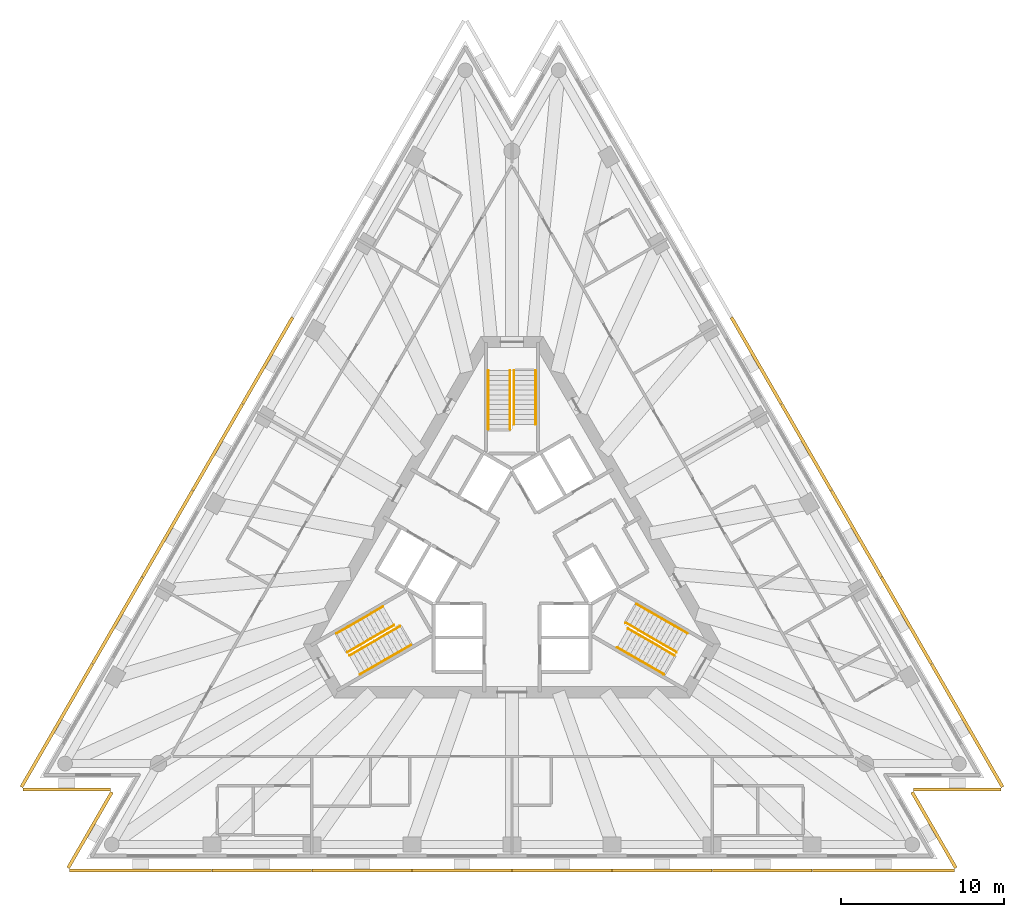
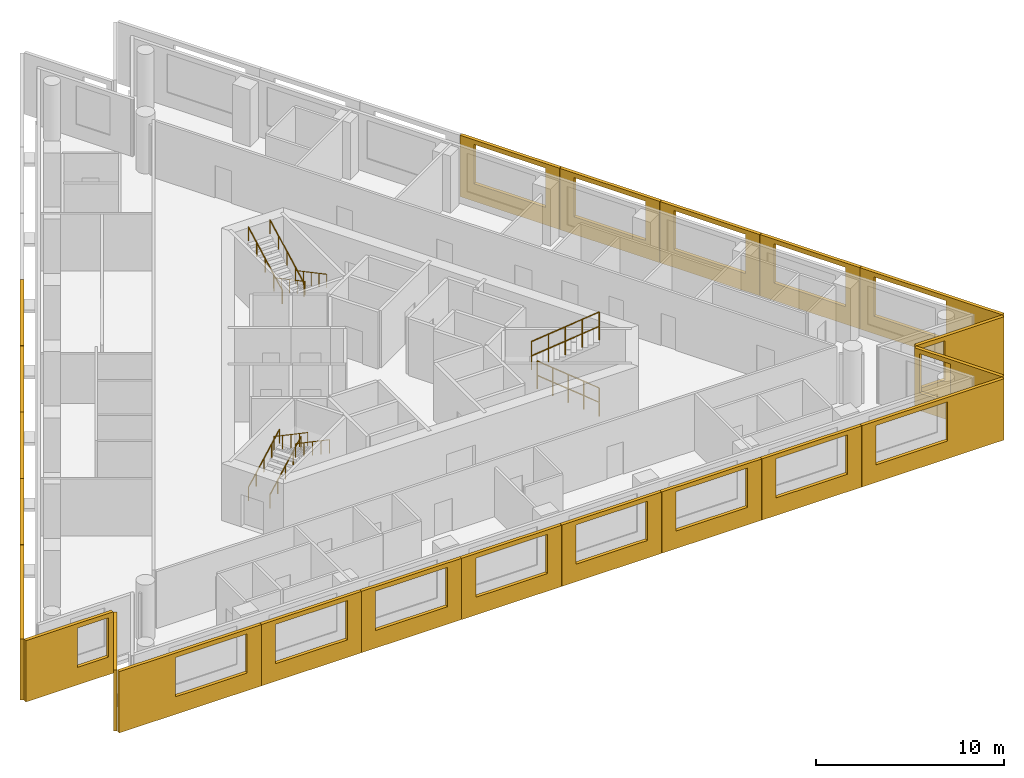
# One storey, part 8 of 9: 22 shading devices, 12 railings, 3 elements without a shape of their own.
"""IFC4 building model written with IfcOpenShell, lengths in metres."""

from ifc_helpers import new_model, si_unit, direction, frame, origin, origin_2d, place, context, subcontext, project, spatial, polyline, circle, outline, extrude, material, layer, layer_set, type_object, element, aggregate, save


model = new_model("IFC4")

# Units and contexts
model_context = context("Model", 3, precision=1e-05, world=origin(), true_north=direction((0.0, 1.0)))
body_context = subcontext(model_context, "Body", "Model", "MODEL_VIEW")
ifc_project = project(units=[si_unit("LENGTHUNIT", "METRE"), si_unit("AREAUNIT", "SQUARE_METRE"), si_unit("VOLUMEUNIT", "CUBIC_METRE"), si_unit("PLANEANGLEUNIT", "RADIAN"), si_unit("MASSUNIT", "GRAM", prefix="KILO")], contexts=[model_context])

# Site, building, storey
site_placement = place(None, origin())
site = spatial("IfcSite", under=ifc_project, at=site_placement, CompositionType="ELEMENT")
building_placement = place(site_placement, origin())
building = spatial("IfcBuilding", under=site, at=building_placement, Name="Triada Interchange Tower", CompositionType="ELEMENT")
storey_placement = place(building_placement, frame((0.0, 0.0, 211.300048828125)))
storey = spatial("IfcBuildingStorey", under=building, at=storey_placement, Name="L49", CompositionType="ELEMENT", Elevation=211.300048828125)

# Shading devices
ifc_material_1 = material(Name="Concrete C50/60 precast", Category="concrete")
ifc_layer_1 = layer(ifc_material_1, 0.02001953125, Name="Exposed aggregate face")
ifc_layer_2 = layer(ifc_material_1, 0.179931640625, Name="Precast concrete screen")
ifc_layer_set = layer_set([ifc_layer_1, ifc_layer_2], Name="Outer skin screen panel 3980")
shading_device_type = type_object("IfcShadingDeviceType", Name="Outer skin screen panel 3980", PredefinedType="SHUTTER", material=ifc_layer_set)
shading_device_1_placement = place(storey_placement, frame((-13.388916015625, 14.81298828125, -0.2900390625), z_axis=(0.0, 0.0, 1.0), x_axis=(-0.500160695909, -0.865932606077, 0.0)))
element("IfcShadingDevice", 1, at=shading_device_1_placement, inside=storey, type_object=shading_device_type, Name="Outer skin screen panel L49 04", PredefinedType="SHUTTER", context=body_context, shape_type="SweptSolid", body=[
    extrude(outline(polyline([(0.0, 0.0), (6.1240234375, 0.0), (6.1240234375, 3.97998046875), (0.0, 3.97998046875), (0.0, 0.0)]), holes=[polyline([(0.862060546875, 1.139892578125), (0.862060546875, 3.68994140625), (5.261962890625, 3.68994140625), (5.261962890625, 1.139892578125), (0.862060546875, 1.139892578125)])]), frame((0.0, 0.0, 0.0), z_axis=(0.0, -1.0, 0.0), x_axis=(1.0, 0.0, 0.0)), (0.0, 0.0, 1.0), 0.199951171875),
])
shading_device_2_placement = place(storey_placement, frame((-16.4619140625, 9.491943359375, -0.2900390625), z_axis=(0.0, 0.0, 1.0), x_axis=(-0.500041108788, -0.866001668314, 0.0)))
element("IfcShadingDevice", 2, at=shading_device_2_placement, inside=storey, type_object=shading_device_type, Name="Outer skin screen panel L49 05", PredefinedType="SHUTTER", context=body_context, shape_type="SweptSolid", body=[
    extrude(outline(polyline([(0.0, 0.0), (6.12353515625, 0.0), (6.12353515625, 3.97998046875), (0.0, 3.97998046875), (0.0, 0.0)]), holes=[polyline([(0.86181640625, 1.139892578125), (0.86181640625, 3.68994140625), (5.26171875, 3.68994140625), (5.26171875, 1.139892578125), (0.86181640625, 1.139892578125)])]), frame((0.0, 0.0, 0.0), z_axis=(0.0, -1.0, 0.0), x_axis=(1.0, 0.0, 0.0)), (0.0, 0.0, 1.0), 0.199951171875),
])
shading_device_3_placement = place(storey_placement, frame((-19.533935546875, 4.1708984375, -0.2900390625), z_axis=(0.0, 0.0, 1.0), x_axis=(-0.500041108788, -0.866001668314, 0.0)))
element("IfcShadingDevice", 3, at=shading_device_3_placement, inside=storey, type_object=shading_device_type, Name="Outer skin screen panel L49 06", PredefinedType="SHUTTER", context=body_context, shape_type="SweptSolid", body=[
    extrude(outline(polyline([(0.0, 0.0), (6.12353515625, 0.0), (6.12353515625, 3.97998046875), (0.0, 3.97998046875), (0.0, 0.0)]), holes=[polyline([(0.861572265625, 1.139892578125), (0.861572265625, 3.68994140625), (5.26171875, 3.68994140625), (5.26171875, 1.139892578125), (0.861572265625, 1.139892578125)])]), frame((0.0, 0.0, 0.0), z_axis=(0.0, -1.0, 0.0), x_axis=(1.0, 0.0, 0.0)), (0.0, 0.0, 1.0), 0.199951171875),
])
shading_device_4_placement = place(storey_placement, frame((-22.60595703125, -1.14990234375, -0.2900390625), z_axis=(0.0, 0.0, 1.0), x_axis=(-0.500041108788, -0.866001668314, 0.0)))
element("IfcShadingDevice", 4, at=shading_device_4_placement, inside=storey, type_object=shading_device_type, Name="Outer skin screen panel L49 07", PredefinedType="SHUTTER", context=body_context, shape_type="SweptSolid", body=[
    extrude(outline(polyline([(0.0, 0.0), (6.12353515625, 0.0), (6.12353515625, 3.97998046875), (0.0, 3.97998046875), (0.0, 0.0)]), holes=[polyline([(0.8623046875, 1.139892578125), (0.8623046875, 3.68994140625), (5.262451171875, 3.68994140625), (5.262451171875, 1.139892578125), (0.8623046875, 1.139892578125)])]), frame((0.0, 0.0, 0.0), z_axis=(0.0, -1.0, 0.0), x_axis=(1.0, 0.0, 0.0)), (0.0, 0.0, 1.0), 0.199951171875),
])
shading_device_5_placement = place(storey_placement, frame((-25.677978515625, -6.470947265625, -0.2900390625), z_axis=(0.0, 0.0, 1.0), x_axis=(-0.500031800419, -0.866007043025, 0.0)))
element("IfcShadingDevice", 5, at=shading_device_5_placement, inside=storey, type_object=shading_device_type, Name="Outer skin screen panel L49 08", PredefinedType="SHUTTER", context=body_context, shape_type="SweptSolid", body=[
    extrude(outline(polyline([(0.0, 0.0), (8.7216796875, 0.0), (8.7216796875, 3.97998046875), (0.0, 3.97998046875), (0.0, 0.0)]), holes=[polyline([(0.8623046875, 1.139892578125), (0.8623046875, 3.68994140625), (5.26220703125, 3.68994140625), (5.26220703125, 1.139892578125), (0.8623046875, 1.139892578125)])]), frame((0.0, 0.0, 0.0), z_axis=(0.0, -1.0, 0.0), x_axis=(1.0, 0.0, 0.0)), (0.0, 0.0, 1.0), 0.199951171875),
])
shading_device_6_placement = place(storey_placement, frame((-30.033935546875, -14.032958984375, -0.2900390625), z_axis=(0.0, 0.0, 1.0), x_axis=(1.0, 0.0, 0.0)))
element("IfcShadingDevice", 6, at=shading_device_6_placement, inside=storey, type_object=shading_device_type, Name="Outer skin screen panel L49 09", PredefinedType="SHUTTER", context=body_context, shape_type="SweptSolid", body=[
    extrude(outline(polyline([(0.0, 0.0), (5.370849609375, 0.0), (5.370849609375, 3.97998046875), (0.0, 3.97998046875), (0.0, 0.0)]), holes=[polyline([(3.175048828125, 1.139892578125), (3.175048828125, 3.68994140625), (5.071044921875, 3.68994140625), (5.071044921875, 1.139892578125), (3.175048828125, 1.139892578125)])]), frame((0.0, 0.0, 0.0), z_axis=(0.0, -1.0, 0.0), x_axis=(1.0, 0.0, 0.0)), (0.0, 0.0, 1.0), 0.199951171875),
])
shading_device_7_placement = place(storey_placement, frame((-24.485107421875, -14.342041015625, -0.2900390625), z_axis=(0.0, 0.0, 1.0), x_axis=(-0.499948082557, -0.866055376259, 0.0)))
element("IfcShadingDevice", 7, at=shading_device_7_placement, inside=storey, type_object=shading_device_type, Name="Outer skin screen panel L49 10", PredefinedType="SHUTTER", context=body_context, shape_type="SweptSolid", body=[
    extrude(outline(polyline([(0.0, 0.0), (5.3701171875, 0.0), (5.3701171875, 3.97998046875), (0.0, 3.97998046875), (0.0, 0.0)]), holes=[polyline([(0.300048828125, 1.139892578125), (0.300048828125, 3.68994140625), (1.7578125, 3.68994140625), (1.7578125, 1.139892578125), (0.300048828125, 1.139892578125)])]), frame((0.0, 0.0, 0.0), z_axis=(0.0, -1.0, 0.0), x_axis=(1.0, 0.0, 0.0)), (0.0, 0.0, 1.0), 0.199951171875),
])
shading_device_8_placement = place(storey_placement, frame((-27.1650390625, -19.001953125, -0.2900390625), z_axis=(0.0, 0.0, 1.0), x_axis=(1.0, 0.0, 0.0)))
element("IfcShadingDevice", 8, at=shading_device_8_placement, inside=storey, type_object=shading_device_type, Name="Outer skin screen panel L49 11", PredefinedType="SHUTTER", context=body_context, shape_type="SweptSolid", body=[
    extrude(outline(polyline([(0.0, 0.0), (8.721923828125, 0.0), (8.721923828125, 3.97998046875), (0.0, 3.97998046875), (0.0, 0.0)]), holes=[polyline([(3.4599609375, 1.139892578125), (3.4599609375, 3.68994140625), (7.860107421875, 3.68994140625), (7.860107421875, 1.139892578125), (3.4599609375, 1.139892578125)])]), frame((0.0, 0.0, 0.0), z_axis=(0.0, -1.0, 0.0), x_axis=(1.0, 0.0, 0.0)), (0.0, 0.0, 1.0), 0.199951171875),
])
shading_device_9_placement = place(storey_placement, frame((-18.423095703125, -19.001953125, -0.2900390625), z_axis=(0.0, 0.0, 1.0), x_axis=(1.0, 0.0, 0.0)))
element("IfcShadingDevice", 9, at=shading_device_9_placement, inside=storey, type_object=shading_device_type, Name="Outer skin screen panel L49 12", PredefinedType="SHUTTER", context=body_context, shape_type="SweptSolid", body=[
    extrude(outline(polyline([(0.0, 0.0), (6.125, 0.0), (6.125, 3.97998046875), (0.0, 3.97998046875), (0.0, 0.0)]), holes=[polyline([(0.86181640625, 1.139892578125), (0.86181640625, 3.68994140625), (5.26171875, 3.68994140625), (5.26171875, 1.139892578125), (0.86181640625, 1.139892578125)])]), frame((0.0, 0.0, 0.0), z_axis=(0.0, -1.0, 0.0), x_axis=(1.0, 0.0, 0.0)), (0.0, 0.0, 1.0), 0.199951171875),
])
shading_device_10_placement = place(storey_placement, frame((-12.279052734375, -19.001953125, -0.2900390625), z_axis=(0.0, 0.0, 1.0), x_axis=(1.0, 0.0, 0.0)))
element("IfcShadingDevice", 10, at=shading_device_10_placement, inside=storey, type_object=shading_device_type, Name="Outer skin screen panel L49 13", PredefinedType="SHUTTER", context=body_context, shape_type="SweptSolid", body=[
    extrude(outline(polyline([(0.0, 0.0), (6.125, 0.0), (6.125, 3.97998046875), (0.0, 3.97998046875), (0.0, 0.0)]), holes=[polyline([(0.862548828125, 1.139892578125), (0.862548828125, 3.68994140625), (5.262451171875, 3.68994140625), (5.262451171875, 1.139892578125), (0.862548828125, 1.139892578125)])]), frame((0.0, 0.0, 0.0), z_axis=(0.0, -1.0, 0.0), x_axis=(1.0, 0.0, 0.0)), (0.0, 0.0, 1.0), 0.199951171875),
])
shading_device_11_placement = place(storey_placement, frame((-6.134033203125, -19.001953125, -0.2900390625), z_axis=(0.0, 0.0, 1.0), x_axis=(1.0, 0.0, 0.0)))
element("IfcShadingDevice", 11, at=shading_device_11_placement, inside=storey, type_object=shading_device_type, Name="Outer skin screen panel L49 14", PredefinedType="SHUTTER", context=body_context, shape_type="SweptSolid", body=[
    extrude(outline(polyline([(0.0, 0.0), (6.1240234375, 0.0), (6.1240234375, 3.97998046875), (0.0, 3.97998046875), (0.0, 0.0)]), holes=[polyline([(0.8623046875, 1.139892578125), (0.8623046875, 3.68994140625), (5.26220703125, 3.68994140625), (5.26220703125, 1.139892578125), (0.8623046875, 1.139892578125)])]), frame((0.0, 0.0, 0.0), z_axis=(0.0, -1.0, 0.0), x_axis=(1.0, 0.0, 0.0)), (0.0, 0.0, 1.0), 0.199951171875),
])
shading_device_12_placement = place(storey_placement, frame((0.010009765625, -19.001953125, -0.2900390625), z_axis=(0.0, 0.0, 1.0), x_axis=(1.0, 0.0, 0.0)))
element("IfcShadingDevice", 12, at=shading_device_12_placement, inside=storey, type_object=shading_device_type, Name="Outer skin screen panel L49 15", PredefinedType="SHUTTER", context=body_context, shape_type="SweptSolid", body=[
    extrude(outline(polyline([(0.0, 0.0), (6.1240234375, 0.0), (6.1240234375, 3.97998046875), (0.0, 3.97998046875), (0.0, 0.0)]), holes=[polyline([(0.862060546875, 1.139892578125), (0.862060546875, 3.68994140625), (5.261962890625, 3.68994140625), (5.261962890625, 1.139892578125), (0.862060546875, 1.139892578125)])]), frame((0.0, 0.0, 0.0), z_axis=(0.0, -1.0, 0.0), x_axis=(1.0, 0.0, 0.0)), (0.0, 0.0, 1.0), 0.199951171875),
])
shading_device_13_placement = place(storey_placement, frame((6.154052734375, -19.001953125, -0.2900390625), z_axis=(0.0, 0.0, 1.0), x_axis=(1.0, 0.0, 0.0)))
element("IfcShadingDevice", 13, at=shading_device_13_placement, inside=storey, type_object=shading_device_type, Name="Outer skin screen panel L49 16", PredefinedType="SHUTTER", context=body_context, shape_type="SweptSolid", body=[
    extrude(outline(polyline([(0.0, 0.0), (6.125, 0.0), (6.125, 3.97998046875), (0.0, 3.97998046875), (0.0, 0.0)]), holes=[polyline([(0.86181640625, 1.139892578125), (0.86181640625, 3.68994140625), (5.26171875, 3.68994140625), (5.26171875, 1.139892578125), (0.86181640625, 1.139892578125)])]), frame((0.0, 0.0, 0.0), z_axis=(0.0, -1.0, 0.0), x_axis=(1.0, 0.0, 0.0)), (0.0, 0.0, 1.0), 0.199951171875),
])
shading_device_14_placement = place(storey_placement, frame((12.298095703125, -19.001953125, -0.2900390625), z_axis=(0.0, 0.0, 1.0), x_axis=(1.0, 0.0, 0.0)))
element("IfcShadingDevice", 14, at=shading_device_14_placement, inside=storey, type_object=shading_device_type, Name="Outer skin screen panel L49 17", PredefinedType="SHUTTER", context=body_context, shape_type="SweptSolid", body=[
    extrude(outline(polyline([(0.0, 0.0), (6.125, 0.0), (6.125, 3.97998046875), (0.0, 3.97998046875), (0.0, 0.0)]), holes=[polyline([(0.862548828125, 1.139892578125), (0.862548828125, 3.68994140625), (5.262451171875, 3.68994140625), (5.262451171875, 1.139892578125), (0.862548828125, 1.139892578125)])]), frame((0.0, 0.0, 0.0), z_axis=(0.0, -1.0, 0.0), x_axis=(1.0, 0.0, 0.0)), (0.0, 0.0, 1.0), 0.199951171875),
])
shading_device_15_placement = place(storey_placement, frame((18.443115234375, -19.001953125, -0.2900390625), z_axis=(0.0, 0.0, 1.0), x_axis=(1.0, 0.0, 0.0)))
element("IfcShadingDevice", 15, at=shading_device_15_placement, inside=storey, type_object=shading_device_type, Name="Outer skin screen panel L49 18", PredefinedType="SHUTTER", context=body_context, shape_type="SweptSolid", body=[
    extrude(outline(polyline([(0.0, 0.0), (8.721923828125, 0.0), (8.721923828125, 3.97998046875), (0.0, 3.97998046875), (0.0, 0.0)]), holes=[polyline([(0.8623046875, 1.139892578125), (0.8623046875, 3.68994140625), (5.26220703125, 3.68994140625), (5.26220703125, 1.139892578125), (0.8623046875, 1.139892578125)])]), frame((0.0, 0.0, 0.0), z_axis=(0.0, -1.0, 0.0), x_axis=(1.0, 0.0, 0.0)), (0.0, 0.0, 1.0), 0.199951171875),
])
shading_device_16_placement = place(storey_placement, frame((27.169921875, -18.992919921875, -0.2900390625), z_axis=(0.0, 0.0, 1.0), x_axis=(-0.499948082557, 0.866055376259, 0.0)))
element("IfcShadingDevice", 16, at=shading_device_16_placement, inside=storey, type_object=shading_device_type, Name="Outer skin screen panel L49 19", PredefinedType="SHUTTER", context=body_context, shape_type="SweptSolid", body=[
    extrude(outline(polyline([(0.0, 0.0), (5.3701171875, 0.0), (5.3701171875, 3.97998046875), (0.0, 3.97998046875), (0.0, 0.0)]), holes=[polyline([(3.17529296875, 1.139892578125), (3.17529296875, 3.68994140625), (5.071044921875, 3.68994140625), (5.071044921875, 1.139892578125), (3.17529296875, 1.139892578125)])]), frame((0.0, 0.0, 0.0), z_axis=(0.0, -1.0, 0.0), x_axis=(1.0, 0.0, 0.0)), (0.0, 0.0, 1.0), 0.199951171875),
])
shading_device_17_placement = place(storey_placement, frame((24.6630859375, -14.032958984375, -0.2900390625), z_axis=(0.0, 0.0, 1.0), x_axis=(1.0, 0.0, 0.0)))
element("IfcShadingDevice", 17, at=shading_device_17_placement, inside=storey, type_object=shading_device_type, Name="Outer skin screen panel L49 20", PredefinedType="SHUTTER", context=body_context, shape_type="SweptSolid", body=[
    extrude(outline(polyline([(0.0, 0.0), (5.370849609375, 0.0), (5.370849609375, 3.97998046875), (0.0, 3.97998046875), (0.0, 0.0)]), holes=[polyline([(0.300048828125, 1.139892578125), (0.300048828125, 3.68994140625), (1.758056640625, 3.68994140625), (1.758056640625, 1.139892578125), (0.300048828125, 1.139892578125)])]), frame((0.0, 0.0, 0.0), z_axis=(0.0, -1.0, 0.0), x_axis=(1.0, 0.0, 0.0)), (0.0, 0.0, 1.0), 0.199951171875),
])
shading_device_18_placement = place(storey_placement, frame((30.0390625, -14.02392578125, -0.2900390625), z_axis=(0.0, 0.0, 1.0), x_axis=(-0.500031800419, 0.866007043025, 0.0)))
element("IfcShadingDevice", 18, at=shading_device_18_placement, inside=storey, type_object=shading_device_type, Name="Outer skin screen panel L49 21", PredefinedType="SHUTTER", context=body_context, shape_type="SweptSolid", body=[
    extrude(outline(polyline([(0.0, 0.0), (8.7216796875, 0.0), (8.7216796875, 3.97998046875), (0.0, 3.97998046875), (0.0, 0.0)]), holes=[polyline([(3.460205078125, 1.139892578125), (3.460205078125, 3.68994140625), (7.8603515625, 3.68994140625), (7.8603515625, 1.139892578125), (3.460205078125, 1.139892578125)])]), frame((0.0, 0.0, 0.0), z_axis=(0.0, -1.0, 0.0), x_axis=(1.0, 0.0, 0.0)), (0.0, 0.0, 1.0), 0.199951171875),
])
shading_device_19_placement = place(storey_placement, frame((25.66796875, -6.452880859375, -0.2900390625), z_axis=(0.0, 0.0, 1.0), x_axis=(-0.500041108788, 0.866001668314, 0.0)))
element("IfcShadingDevice", 19, at=shading_device_19_placement, inside=storey, type_object=shading_device_type, Name="Outer skin screen panel L49 22", PredefinedType="SHUTTER", context=body_context, shape_type="SweptSolid", body=[
    extrude(outline(polyline([(0.0, 0.0), (6.12353515625, 0.0), (6.12353515625, 3.97998046875), (0.0, 3.97998046875), (0.0, 0.0)]), holes=[polyline([(0.862060546875, 1.139892578125), (0.862060546875, 3.68994140625), (5.261962890625, 3.68994140625), (5.261962890625, 1.139892578125), (0.862060546875, 1.139892578125)])]), frame((0.0, 0.0, 0.0), z_axis=(0.0, -1.0, 0.0), x_axis=(1.0, 0.0, 0.0)), (0.0, 0.0, 1.0), 0.199951171875),
])
shading_device_20_placement = place(storey_placement, frame((22.595947265625, -1.132080078125, -0.2900390625), z_axis=(0.0, 0.0, 1.0), x_axis=(-0.500041108788, 0.866001668314, 0.0)))
element("IfcShadingDevice", 20, at=shading_device_20_placement, inside=storey, type_object=shading_device_type, Name="Outer skin screen panel L49 23", PredefinedType="SHUTTER", context=body_context, shape_type="SweptSolid", body=[
    extrude(outline(polyline([(0.0, 0.0), (6.12353515625, 0.0), (6.12353515625, 3.97998046875), (0.0, 3.97998046875), (0.0, 0.0)]), holes=[polyline([(0.86181640625, 1.139892578125), (0.86181640625, 3.68994140625), (5.261962890625, 3.68994140625), (5.261962890625, 1.139892578125), (0.86181640625, 1.139892578125)])]), frame((0.0, 0.0, 0.0), z_axis=(0.0, -1.0, 0.0), x_axis=(1.0, 0.0, 0.0)), (0.0, 0.0, 1.0), 0.199951171875),
])
shading_device_21_placement = place(storey_placement, frame((19.52392578125, 4.18896484375, -0.2900390625), z_axis=(0.0, 0.0, 1.0), x_axis=(-0.500041108788, 0.866001668314, 0.0)))
element("IfcShadingDevice", 21, at=shading_device_21_placement, inside=storey, type_object=shading_device_type, Name="Outer skin screen panel L49 24", PredefinedType="SHUTTER", context=body_context, shape_type="SweptSolid", body=[
    extrude(outline(polyline([(0.0, 0.0), (6.12353515625, 0.0), (6.12353515625, 3.97998046875), (0.0, 3.97998046875), (0.0, 0.0)]), holes=[polyline([(0.86181640625, 1.139892578125), (0.86181640625, 3.68994140625), (5.26171875, 3.68994140625), (5.26171875, 1.139892578125), (0.86181640625, 1.139892578125)])]), frame((0.0, 0.0, 0.0), z_axis=(0.0, -1.0, 0.0), x_axis=(1.0, 0.0, 0.0)), (0.0, 0.0, 1.0), 0.199951171875),
])
shading_device_22_placement = place(storey_placement, frame((16.451904296875, 9.510009765625, -0.2900390625), z_axis=(0.0, 0.0, 1.0), x_axis=(-0.500160695909, 0.865932606077, 0.0)))
element("IfcShadingDevice", 22, at=shading_device_22_placement, inside=storey, type_object=shading_device_type, Name="Outer skin screen panel L49 25", PredefinedType="SHUTTER", context=body_context, shape_type="SweptSolid", body=[
    extrude(outline(polyline([(0.0, 0.0), (6.1240234375, 0.0), (6.1240234375, 3.97998046875), (0.0, 3.97998046875), (0.0, 0.0)]), holes=[polyline([(0.862548828125, 1.139892578125), (0.862548828125, 3.68994140625), (5.262451171875, 3.68994140625), (5.262451171875, 1.139892578125), (0.862548828125, 1.139892578125)])]), frame((0.0, 0.0, 0.0), z_axis=(0.0, -1.0, 0.0), x_axis=(1.0, 0.0, 0.0)), (0.0, 0.0, 1.0), 0.199951171875),
])

# Stair, railings
ifc_material_2 = material(Name="Concrete C35/45", Category="concrete")
stair_type = type_object("IfcStairType", Name="HALF TURN STAIR 1400", PredefinedType="HALF_TURN_STAIR", material=ifc_material_2)
stair_1_placement = place(storey_placement, origin())
stair_1 = element("IfcStair", 23, at=stair_1_placement, inside=storey, type_object=stair_type, Name="Exit stair S47-1", PredefinedType="HALF_TURN_STAIR")
ifc_material_3 = material(Name="Stainless steel 1.4301", Category="steel")
railing_type = type_object("IfcRailingType", Name="STAIR HANDRAIL 900", PredefinedType="HANDRAIL", material=ifc_material_3)
railing_1_placement = place(storey_placement, frame((1.449951171875, 11.60009765625, 0.159912109375)))
railing_1 = element("IfcRailing", 24, at=railing_1_placement, type_object=railing_type, Name="Handrail S47-1 1W", PredefinedType="HANDRAIL", context=body_context, shape_type="SweptSolid", body=[
    extrude(circle(Radius=0.02392578125, at=origin_2d()), frame((0.0, 0.0, 0.8759765625), z_axis=(0.0, -0.882354748157, 0.47058484719), x_axis=(1.0, 0.0, 0.0)), (0.0, 0.0, 1.0), 3.739990234375),
    extrude(circle(Radius=0.02099609375, at=origin_2d()), origin(), (0.0, 0.0, 1.0), 0.851806640625),
    extrude(circle(Radius=0.02099609375, at=origin_2d()), frame((0.0, -0.824951171875, 0.43994140625)), (0.0, 0.0, 1.0), 0.851806640625),
    extrude(circle(Radius=0.02099609375, at=origin_2d()), frame((0.0, -1.64990234375, 0.8798828125)), (0.0, 0.0, 1.0), 0.851806640625),
    extrude(circle(Radius=0.02099609375, at=origin_2d()), frame((0.0, -2.47509765625, 1.320068359375)), (0.0, 0.0, 1.0), 0.851806640625),
    extrude(circle(Radius=0.02099609375, at=origin_2d()), frame((0.0, -3.300048828125, 1.760009765625)), (0.0, 0.0, 1.0), 0.851806640625),
])
railing_2_placement = place(storey_placement, frame((0.1201171875, 11.60009765625, 0.159912109375)))
railing_2 = element("IfcRailing", 25, at=railing_2_placement, type_object=railing_type, Name="Handrail S47-1 1C", PredefinedType="HANDRAIL", context=body_context, shape_type="SweptSolid", body=[
    extrude(circle(Radius=0.02392578125, at=origin_2d()), frame((0.0, 0.0, 0.8759765625), z_axis=(0.0, -0.882354748157, 0.47058484719), x_axis=(1.0, 0.0, 0.0)), (0.0, 0.0, 1.0), 3.739990234375),
    extrude(circle(Radius=0.02099609375, at=origin_2d()), origin(), (0.0, 0.0, 1.0), 0.851806640625),
    extrude(circle(Radius=0.02099609375, at=origin_2d()), frame((0.0, -0.824951171875, 0.43994140625)), (0.0, 0.0, 1.0), 0.851806640625),
    extrude(circle(Radius=0.02099609375, at=origin_2d()), frame((0.0, -1.64990234375, 0.8798828125)), (0.0, 0.0, 1.0), 0.851806640625),
    extrude(circle(Radius=0.02099609375, at=origin_2d()), frame((0.0, -2.47509765625, 1.320068359375)), (0.0, 0.0, 1.0), 0.851806640625),
    extrude(circle(Radius=0.02099609375, at=origin_2d()), frame((0.0, -3.300048828125, 1.760009765625)), (0.0, 0.0, 1.0), 0.851806640625),
])
railing_3_placement = place(storey_placement, frame((-1.449951171875, 8.0, 2.079833984375)))
railing_3 = element("IfcRailing", 26, at=railing_3_placement, type_object=railing_type, Name="Handrail S47-1 2W", PredefinedType="HANDRAIL", context=body_context, shape_type="SweptSolid", body=[
    extrude(circle(Radius=0.02392578125, at=origin_2d()), frame((0.0, 0.0, 0.8759765625), z_axis=(0.0, 0.882341346394, 0.470609974867), x_axis=(-1.0, 0.0, 0.0)), (0.0, 0.0, 1.0), 4.080078125),
    extrude(circle(Radius=0.02099609375, at=origin_2d()), origin(), (0.0, 0.0, 1.0), 0.851806640625),
    extrude(circle(Radius=0.02099609375, at=origin_2d()), frame((0.0, 0.89990234375, 0.47998046875)), (0.0, 0.0, 1.0), 0.851806640625),
    extrude(circle(Radius=0.02099609375, at=origin_2d()), frame((0.0, 1.800048828125, 0.9599609375)), (0.0, 0.0, 1.0), 0.851806640625),
    extrude(circle(Radius=0.02099609375, at=origin_2d()), frame((0.0, 2.7001953125, 1.440185546875)), (0.0, 0.0, 1.0), 0.851806640625),
    extrude(circle(Radius=0.02099609375, at=origin_2d()), frame((0.0, 3.60009765625, 1.920166015625)), (0.0, 0.0, 1.0), 0.851806640625),
])
railing_4_placement = place(storey_placement, frame((-0.1201171875, 8.0, 2.079833984375)))
railing_4 = element("IfcRailing", 27, at=railing_4_placement, type_object=railing_type, Name="Handrail S47-1 2C", PredefinedType="HANDRAIL", context=body_context, shape_type="SweptSolid", body=[
    extrude(circle(Radius=0.02392578125, at=origin_2d()), frame((0.0, 0.0, 0.8759765625), z_axis=(0.0, 0.882341346394, 0.470609974867), x_axis=(-1.0, 0.0, 0.0)), (0.0, 0.0, 1.0), 4.080078125),
    extrude(circle(Radius=0.02099609375, at=origin_2d()), origin(), (0.0, 0.0, 1.0), 0.851806640625),
    extrude(circle(Radius=0.02099609375, at=origin_2d()), frame((0.0, 0.89990234375, 0.47998046875)), (0.0, 0.0, 1.0), 0.851806640625),
    extrude(circle(Radius=0.02099609375, at=origin_2d()), frame((0.0, 1.800048828125, 0.9599609375)), (0.0, 0.0, 1.0), 0.851806640625),
    extrude(circle(Radius=0.02099609375, at=origin_2d()), frame((0.0, 2.7001953125, 1.440185546875)), (0.0, 0.0, 1.0), 0.851806640625),
    extrude(circle(Radius=0.02099609375, at=origin_2d()), frame((0.0, 3.60009765625, 1.920166015625)), (0.0, 0.0, 1.0), 0.851806640625),
])
aggregate(stair_1, [railing_1, railing_2, railing_3, railing_4])

stair_2_placement = place(storey_placement, origin())
stair_2 = element("IfcStair", 28, at=stair_2_placement, inside=storey, type_object=stair_type, Name="Exit stair S47-2", PredefinedType="HALF_TURN_STAIR")
railing_5_placement = place(storey_placement, frame((-10.77099609375, -4.5439453125, 0.159912109375)))
railing_5 = element("IfcRailing", 29, at=railing_5_placement, type_object=railing_type, Name="Handrail S47-2 1W", PredefinedType="HANDRAIL", context=body_context, shape_type="SweptSolid", body=[
    extrude(circle(Radius=0.02392578125, at=origin_2d()), frame((0.0, 0.0, 0.8759765625), z_axis=(0.764150854273, 0.441152526326, 0.470593158077), x_axis=(-0.499974350878, 0.866040211805, 0.0)), (0.0, 0.0, 1.0), 3.739990234375),
    extrude(circle(Radius=0.02099609375, at=origin_2d()), origin(), (0.0, 0.0, 1.0), 0.851806640625),
    extrude(circle(Radius=0.02099609375, at=origin_2d()), frame((0.71435546875, 0.41259765625, 0.43994140625)), (0.0, 0.0, 1.0), 0.851806640625),
    extrude(circle(Radius=0.02099609375, at=origin_2d()), frame((1.428955078125, 0.824951171875, 0.8798828125)), (0.0, 0.0, 1.0), 0.851806640625),
    extrude(circle(Radius=0.02099609375, at=origin_2d()), frame((2.1435546875, 1.2373046875, 1.320068359375)), (0.0, 0.0, 1.0), 0.851806640625),
    extrude(circle(Radius=0.02099609375, at=origin_2d()), frame((2.85791015625, 1.64990234375, 1.760009765625)), (0.0, 0.0, 1.0), 0.851806640625),
])
railing_6_placement = place(storey_placement, frame((-10.10595703125, -5.696044921875, 0.159912109375)))
railing_6 = element("IfcRailing", 30, at=railing_6_placement, type_object=railing_type, Name="Handrail S47-2 1C", PredefinedType="HANDRAIL", context=body_context, shape_type="SweptSolid", body=[
    extrude(circle(Radius=0.02392578125, at=origin_2d()), frame((0.0, 0.0, 0.8759765625), z_axis=(0.76412884773, 0.441205098395, 0.470579605611), x_axis=(-0.50002983664, 0.866008176907, 0.0)), (0.0, 0.0, 1.0), 3.739990234375),
    extrude(circle(Radius=0.02099609375, at=origin_2d()), origin(), (0.0, 0.0, 1.0), 0.851806640625),
    extrude(circle(Radius=0.02099609375, at=origin_2d()), frame((0.71435546875, 0.41259765625, 0.43994140625)), (0.0, 0.0, 1.0), 0.851806640625),
    extrude(circle(Radius=0.02099609375, at=origin_2d()), frame((1.428955078125, 0.8251953125, 0.8798828125)), (0.0, 0.0, 1.0), 0.851806640625),
    extrude(circle(Radius=0.02099609375, at=origin_2d()), frame((2.1435546875, 1.237548828125, 1.320068359375)), (0.0, 0.0, 1.0), 0.851806640625),
    extrude(circle(Radius=0.02099609375, at=origin_2d()), frame((2.85791015625, 1.650146484375, 1.760009765625)), (0.0, 0.0, 1.0), 0.851806640625),
])
railing_7_placement = place(storey_placement, frame((-6.202880859375, -5.256103515625, 2.079833984375)))
railing_7 = element("IfcRailing", 31, at=railing_7_placement, type_object=railing_type, Name="Handrail S47-2 2W", PredefinedType="HANDRAIL", context=body_context, shape_type="SweptSolid", body=[
    extrude(circle(Radius=0.02392578125, at=origin_2d()), frame((0.0, 0.0, 0.8759765625), z_axis=(-0.764189758314, -0.441090424232, 0.470588196769), x_axis=(0.499902469156, -0.866081705922, 0.0)), (0.0, 0.0, 1.0), 4.080322265625),
    extrude(circle(Radius=0.02099609375, at=origin_2d()), origin(), (0.0, 0.0, 1.0), 0.851806640625),
    extrude(circle(Radius=0.02099609375, at=origin_2d()), frame((-0.779541015625, -0.449951171875, 0.47998046875)), (0.0, 0.0, 1.0), 0.851806640625),
    extrude(circle(Radius=0.02099609375, at=origin_2d()), frame((-1.55908203125, -0.89990234375, 0.9599609375)), (0.0, 0.0, 1.0), 0.851806640625),
    extrude(circle(Radius=0.02099609375, at=origin_2d()), frame((-2.338623046875, -1.349853515625, 1.440185546875)), (0.0, 0.0, 1.0), 0.851806640625),
    extrude(circle(Radius=0.02099609375, at=origin_2d()), frame((-3.1181640625, -1.7998046875, 1.920166015625)), (0.0, 0.0, 1.0), 0.851806640625),
])
railing_8_placement = place(storey_placement, frame((-6.867919921875, -4.10400390625, 2.079833984375)))
railing_8 = element("IfcRailing", 32, at=railing_8_placement, type_object=railing_type, Name="Handrail S47-2 2C", PredefinedType="HANDRAIL", context=body_context, shape_type="SweptSolid", body=[
    extrude(circle(Radius=0.02392578125, at=origin_2d()), frame((0.0, 0.0, 0.8759765625), z_axis=(-0.764169589359, -0.441138614339, 0.470575776723), x_axis=(0.49995333141, -0.866052346231, 0.0)), (0.0, 0.0, 1.0), 4.08056640625),
    extrude(circle(Radius=0.02099609375, at=origin_2d()), origin(), (0.0, 0.0, 1.0), 0.851806640625),
    extrude(circle(Radius=0.02099609375, at=origin_2d()), frame((-0.779541015625, -0.449951171875, 0.47998046875)), (0.0, 0.0, 1.0), 0.851806640625),
    extrude(circle(Radius=0.02099609375, at=origin_2d()), frame((-1.55908203125, -0.89990234375, 0.9599609375)), (0.0, 0.0, 1.0), 0.851806640625),
    extrude(circle(Radius=0.02099609375, at=origin_2d()), frame((-2.338623046875, -1.35009765625, 1.440185546875)), (0.0, 0.0, 1.0), 0.851806640625),
    extrude(circle(Radius=0.02099609375, at=origin_2d()), frame((-3.1181640625, -1.800048828125, 1.920166015625)), (0.0, 0.0, 1.0), 0.851806640625),
])
aggregate(stair_2, [railing_5, railing_6, railing_7, railing_8])

stair_3_placement = place(storey_placement, origin())
stair_3 = element("IfcStair", 33, at=stair_3_placement, inside=storey, type_object=stair_type, Name="Exit stair S47-3", PredefinedType="HALF_TURN_STAIR")
railing_9_placement = place(storey_placement, frame((9.321044921875, -7.055908203125, 0.159912109375)))
railing_9 = element("IfcRailing", 34, at=railing_9_placement, type_object=railing_type, Name="Handrail S47-3 1W", PredefinedType="HANDRAIL", context=body_context, shape_type="SweptSolid", body=[
    extrude(circle(Radius=0.02392578125, at=origin_2d()), frame((0.0, 0.0, 0.8759765625), z_axis=(-0.764178012919, 0.441130521168, 0.470569684388), x_axis=(-0.499942318283, -0.866058703778, 0.0)), (0.0, 0.0, 1.0), 3.740234375),
    extrude(circle(Radius=0.02099609375, at=origin_2d()), origin(), (0.0, 0.0, 1.0), 0.851806640625),
    extrude(circle(Radius=0.02099609375, at=origin_2d()), frame((-0.714599609375, 0.41259765625, 0.43994140625)), (0.0, 0.0, 1.0), 0.851806640625),
    extrude(circle(Radius=0.02099609375, at=origin_2d()), frame((-1.42919921875, 0.824951171875, 0.8798828125)), (0.0, 0.0, 1.0), 0.851806640625),
    extrude(circle(Radius=0.02099609375, at=origin_2d()), frame((-2.1435546875, 1.2373046875, 1.320068359375)), (0.0, 0.0, 1.0), 0.851806640625),
    extrude(circle(Radius=0.02099609375, at=origin_2d()), frame((-2.858154296875, 1.64990234375, 1.760009765625)), (0.0, 0.0, 1.0), 0.851806640625),
])
railing_10_placement = place(storey_placement, frame((9.986083984375, -5.904052734375, 0.159912109375)))
railing_10 = element("IfcRailing", 35, at=railing_10_placement, type_object=railing_type, Name="Handrail S47-3 1C", PredefinedType="HANDRAIL", context=body_context, shape_type="SweptSolid", body=[
    extrude(circle(Radius=0.02392578125, at=origin_2d()), frame((0.0, 0.0, 0.8759765625), z_axis=(-0.764156007789, 0.441183091881, 0.47055613395), x_axis=(-0.49999780286, -0.8660266723, 0.0)), (0.0, 0.0, 1.0), 3.740234375),
    extrude(circle(Radius=0.02099609375, at=origin_2d()), origin(), (0.0, 0.0, 1.0), 0.851806640625),
    extrude(circle(Radius=0.02099609375, at=origin_2d()), frame((-0.714599609375, 0.41259765625, 0.43994140625)), (0.0, 0.0, 1.0), 0.851806640625),
    extrude(circle(Radius=0.02099609375, at=origin_2d()), frame((-1.42919921875, 0.8251953125, 0.8798828125)), (0.0, 0.0, 1.0), 0.851806640625),
    extrude(circle(Radius=0.02099609375, at=origin_2d()), frame((-2.1435546875, 1.237548828125, 1.320068359375)), (0.0, 0.0, 1.0), 0.851806640625),
    extrude(circle(Radius=0.02099609375, at=origin_2d()), frame((-2.858154296875, 1.650146484375, 1.760009765625)), (0.0, 0.0, 1.0), 0.851806640625),
])
railing_11_placement = place(storey_placement, frame((7.653076171875, -2.743896484375, 2.079833984375)))
railing_11 = element("IfcRailing", 36, at=railing_11_placement, type_object=railing_type, Name="Handrail S47-3 2W", PredefinedType="HANDRAIL", context=body_context, shape_type="SweptSolid", body=[
    extrude(circle(Radius=0.02392578125, at=origin_2d()), frame((0.0, 0.0, 0.8759765625), z_axis=(0.76414469501, -0.441158784458, 0.470597292793), x_axis=(0.499982693035, 0.866035395735, 0.0)), (0.0, 0.0, 1.0), 4.080322265625),
    extrude(circle(Radius=0.02099609375, at=origin_2d()), origin(), (0.0, 0.0, 1.0), 0.851806640625),
    extrude(circle(Radius=0.02099609375, at=origin_2d()), frame((0.779541015625, -0.449951171875, 0.47998046875)), (0.0, 0.0, 1.0), 0.851806640625),
    extrude(circle(Radius=0.02099609375, at=origin_2d()), frame((1.55908203125, -0.89990234375, 0.9599609375)), (0.0, 0.0, 1.0), 0.851806640625),
    extrude(circle(Radius=0.02099609375, at=origin_2d()), frame((2.33837890625, -1.35009765625, 1.440185546875)), (0.0, 0.0, 1.0), 0.851806640625),
    extrude(circle(Radius=0.02099609375, at=origin_2d()), frame((3.117919921875, -1.800048828125, 1.920166015625)), (0.0, 0.0, 1.0), 0.851806640625),
])
railing_12_placement = place(storey_placement, frame((6.988037109375, -3.89599609375, 2.079833984375)))
railing_12 = element("IfcRailing", 37, at=railing_12_placement, type_object=railing_type, Name="Handrail S47-3 2C", PredefinedType="HANDRAIL", context=body_context, shape_type="SweptSolid", body=[
    extrude(circle(Radius=0.02392578125, at=origin_2d()), frame((0.0, 0.0, 0.8759765625), z_axis=(0.76414469501, -0.441158784458, 0.470597292793), x_axis=(0.499982693035, 0.866035395735, 0.0)), (0.0, 0.0, 1.0), 4.080322265625),
    extrude(circle(Radius=0.02099609375, at=origin_2d()), origin(), (0.0, 0.0, 1.0), 0.851806640625),
    extrude(circle(Radius=0.02099609375, at=origin_2d()), frame((0.779541015625, -0.449951171875, 0.47998046875)), (0.0, 0.0, 1.0), 0.851806640625),
    extrude(circle(Radius=0.02099609375, at=origin_2d()), frame((1.55908203125, -0.89990234375, 0.9599609375)), (0.0, 0.0, 1.0), 0.851806640625),
    extrude(circle(Radius=0.02099609375, at=origin_2d()), frame((2.33837890625, -1.35009765625, 1.440185546875)), (0.0, 0.0, 1.0), 0.851806640625),
    extrude(circle(Radius=0.02099609375, at=origin_2d()), frame((3.117919921875, -1.800048828125, 1.920166015625)), (0.0, 0.0, 1.0), 0.851806640625),
])
aggregate(stair_3, [railing_9, railing_10, railing_11, railing_12])

save(model, "model.ifc")
